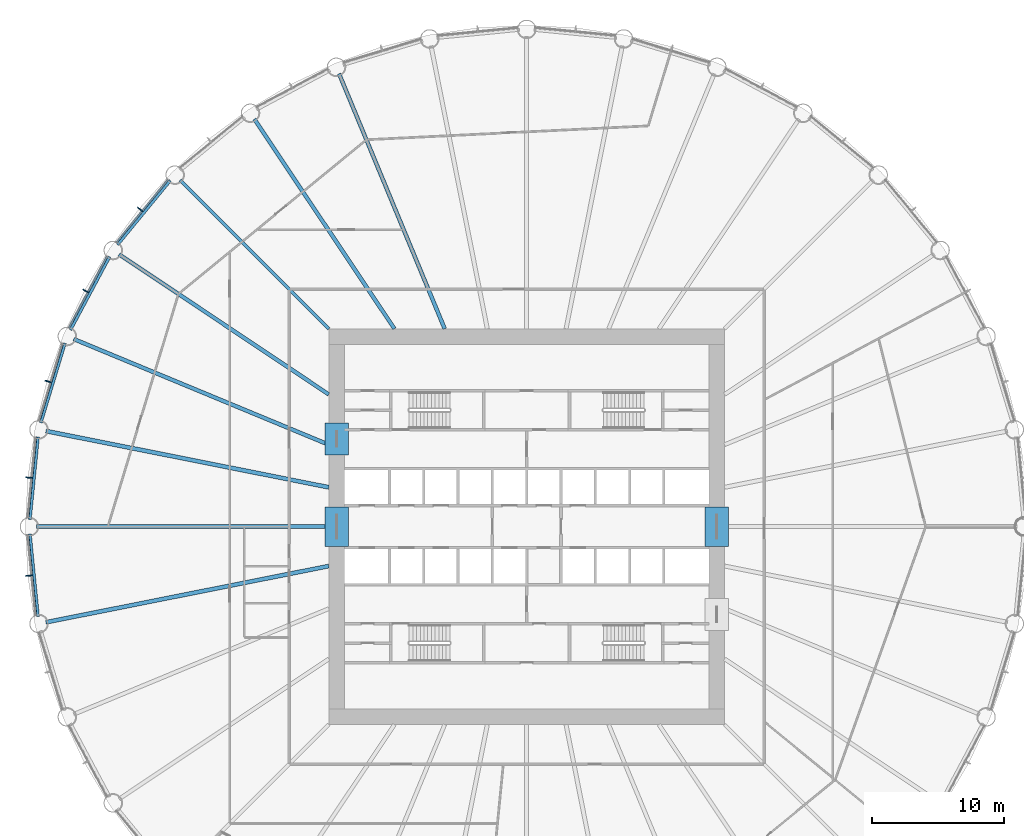
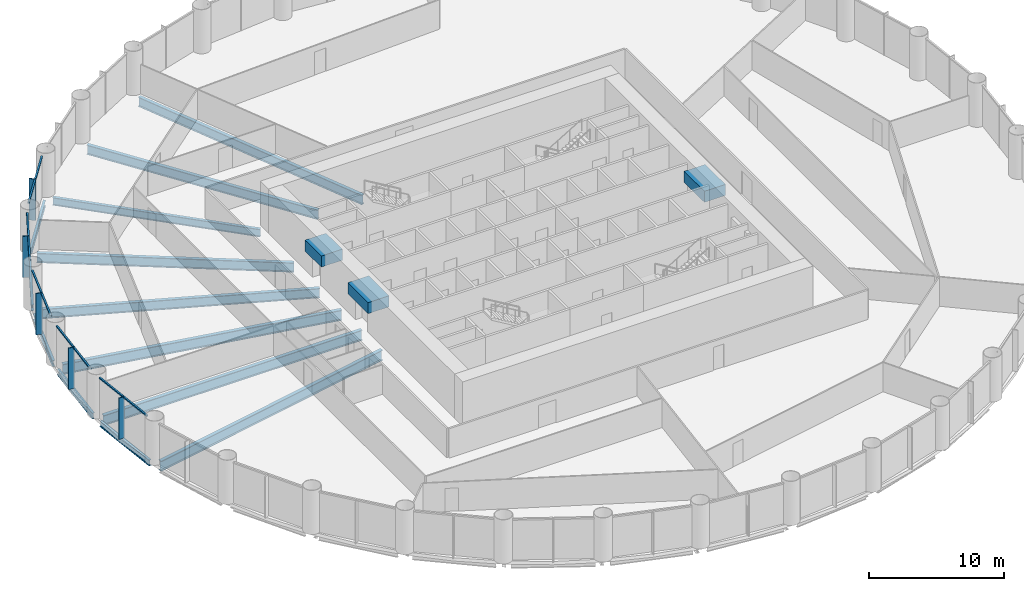
# One storey, part 4 of 14: 16 beams, 15 members, 5 elements without a shape of their own.
"""IFC4 building model written with IfcOpenShell, lengths in metres."""

import ifcopenshell
import ifcopenshell.guid

model = None  # the IFC model being written
_history = None  # IfcOwnerHistory: only IFC2X3 demands one
_inside = {}  # id of a spatial element -> (the spatial element, [elements in it])
_under = {}  # id of a project, library or spatial element -> (it, [spatial elements below it])
_declared = {}  # id of a project -> (the project, [libraries it declares])
_typed = {}  # id of a type object -> (the type object, [elements of that type])
_made_of = {}  # id of a material, layer set ... -> (it, [elements and type objects made of it])


def new_model(schema):
    """Start an empty IFC model of exactly this schema.

    Asked for "IFC4X3", IfcOpenShell would pick the latest addendum, in which some entities
    have other attributes; the version numbers below select the first issue.
    IFC2X3 requires an IfcOwnerHistory on every rooted entity: one is made here for all.
    """
    global model, _history
    if schema == "IFC4X3":
        model = ifcopenshell.file(schema_version=(4, 3, 0, 0))
    else:
        model = ifcopenshell.file(schema=schema)
    _inside.clear()
    _under.clear()
    _declared.clear()
    _typed.clear()
    _made_of.clear()
    _history = None
    if model.schema == "IFC2X3":
        org = make("IfcOrganization", Name="unknown")
        user = make(
            "IfcPersonAndOrganization",
            ThePerson=make("IfcPerson", FamilyName="unknown"),
            TheOrganization=org,
        )
        app = make(
            "IfcApplication",
            ApplicationDeveloper=org,
            Version="unknown",
            ApplicationFullName="unknown",
            ApplicationIdentifier="unknown",
        )
        _history = make(
            "IfcOwnerHistory",
            OwningUser=user,
            OwningApplication=app,
            ChangeAction="ADDED",
            CreationDate=0,
        )
    return model


def make(cls, **values):
    """One entity of the class cls with the attributes given. An attribute that is None is left unset."""
    return model.create_entity(
        cls, **{name: value for name, value in values.items() if value is not None}
    )


def rooted(cls, **values):
    """An entity with a GlobalId (a new one), such as an element, a storey or a relation."""
    return make(cls, GlobalId=ifcopenshell.guid.new(), OwnerHistory=_history, **values)


def si_unit(unit_type, name, prefix=None):
    """IfcSIUnit, for example si_unit("LENGTHUNIT", "METRE", prefix="MILLI")."""
    return make("IfcSIUnit", UnitType=unit_type, Prefix=prefix, Name=name)


def assignment(units):
    """IfcUnitAssignment: the units of a project."""
    return None if units is None else make("IfcUnitAssignment", Units=units)


def point(xyz):
    """IfcCartesianPoint."""
    return None if xyz is None else make("IfcCartesianPoint", Coordinates=xyz)


def direction(xyz):
    """IfcDirection."""
    return None if xyz is None else make("IfcDirection", DirectionRatios=xyz)


def frame(location, z_axis=None, x_axis=None):
    """IfcAxis2Placement3D, a coordinate frame: its origin and axes. An axis left out is left unset."""
    return make(
        "IfcAxis2Placement3D",
        Location=point(location),
        Axis=direction(z_axis),
        RefDirection=direction(x_axis),
    )


def frame_2d(location, x_axis=None):
    """IfcAxis2Placement2D, a coordinate frame in the plane: its origin and x axis."""
    return make(
        "IfcAxis2Placement2D", Location=point(location), RefDirection=direction(x_axis)
    )


def origin():
    """The frame at (0, 0, 0) with its axes left unset."""
    return frame((0.0, 0.0, 0.0))


def origin_2d():
    """The frame at (0, 0) in the plane with its x axis left unset."""
    return frame_2d((0.0, 0.0))


def place(relative_to, where):
    """IfcLocalPlacement: puts the frame where relative to a parent placement (None: the world)."""
    return make(
        "IfcLocalPlacement", PlacementRelTo=relative_to, RelativePlacement=where
    )


def context(
    kind, dimensions, precision=None, world=None, true_north=None, identifier=None
):
    """IfcGeometricRepresentationContext, for example the 3D "Model" context."""
    return make(
        "IfcGeometricRepresentationContext",
        ContextIdentifier=identifier,
        ContextType=kind,
        CoordinateSpaceDimension=dimensions,
        Precision=precision,
        WorldCoordinateSystem=world,
        TrueNorth=true_north,
    )


def subcontext(parent, identifier, kind, view, scale=None):
    """IfcGeometricRepresentationSubContext, for example "Body" below "Model"."""
    return make(
        "IfcGeometricRepresentationSubContext",
        ContextIdentifier=identifier,
        ContextType=kind,
        ParentContext=parent,
        TargetScale=scale,
        TargetView=view,
    )


def project(units=None, contexts=None):
    """IfcProject with its units and contexts."""
    return rooted(
        "IfcProject",
        Name="project",
        RepresentationContexts=contexts,
        UnitsInContext=assignment(units),
    )


def spatial(cls, under=None, at=None, **own):
    """A site, building, storey or space (cls), placed at a placement, below another one or the project."""
    s = rooted(cls, ObjectPlacement=at, **own)
    if under is not None:
        _under.setdefault(under.id(), (under, []))[1].append(s)
    return s


def profile(cls, at=None, kind="AREA", **sizes):
    """A parametric profile (cls). Its sizes go by their IFC names, for example OverallWidth=200.0."""
    return make(cls, ProfileType=kind, Position=at, **sizes)


def rectangle(**sizes):
    """IfcRectangleProfileDef."""
    return profile("IfcRectangleProfileDef", **sizes)


def i_section(**sizes):
    """IfcIShapeProfileDef."""
    return profile("IfcIShapeProfileDef", **sizes)


def extrude(swept, where, along, depth):
    """IfcExtrudedAreaSolid: the profile swept, set in the frame where, extruded along a direction by depth."""
    return make(
        "IfcExtrudedAreaSolid",
        SweptArea=swept,
        Position=where,
        ExtrudedDirection=direction(along),
        Depth=depth,
    )


def shape(context_of_items, identifier, shape_type, items):
    """IfcShapeRepresentation: the items that make up one representation, for example the "Body"."""
    return make(
        "IfcShapeRepresentation",
        ContextOfItems=context_of_items,
        RepresentationIdentifier=identifier,
        RepresentationType=shape_type,
        Items=items,
    )


def material(Name=None, Category=None):
    """IfcMaterial."""
    return make("IfcMaterial", Name=Name, Category=Category)


def material_profile(
    of_material, cross_section, Name=None, Category=None, Priority=None
):
    """IfcMaterialProfile: a cross section and its material."""
    return make(
        "IfcMaterialProfile",
        Name=Name,
        Material=of_material,
        Profile=cross_section,
        Priority=Priority,
        Category=Category,
    )


def profile_set(profiles, Name=None, composite=None):
    """IfcMaterialProfileSet."""
    return make(
        "IfcMaterialProfileSet",
        Name=Name,
        MaterialProfiles=profiles,
        CompositeProfile=composite,
    )


def made_of(thing, what):
    """Note that an element or type object is made of a material, layer set ...; save() writes the relation."""
    if what is not None:
        _made_of.setdefault(what.id(), (what, []))[1].append(thing)
    return thing


def type_object(cls, material=None, **own):
    """A type object (cls), such as IfcWallType, which elements share."""
    return made_of(rooted(cls, **own), material)


def element(
    cls,
    number,
    at=None,
    inside=None,
    cuts=None,
    type_object=None,
    material=None,
    context=None,
    identifier="Body",
    shape_type=None,
    held_by="IfcProductDefinitionShape",
    body=None,
    shapes=None,
    **own,
):
    """One element of the class cls, such as IfcWall. Its Tag is "e" and its number.

    at: its placement. inside: the storey or other place that contains it. cuts: it is an
    opening in that element (IfcRelVoidsElement). A single representation is given by context,
    identifier, shape_type and body (its items); several are given by shapes. held_by: the class
    of the entity that holds the representations. save() writes the other relations.
    """
    e = rooted(cls, Tag="e%d" % number, ObjectPlacement=at, **own)
    if body is not None:
        shapes = [shape(context, identifier, shape_type, body)]
    if shapes is not None:
        e.Representation = make(held_by, Representations=shapes)
    if inside is not None:
        _inside.setdefault(inside.id(), (inside, []))[1].append(e)
    if cuts is not None:
        rooted(
            "IfcRelVoidsElement", RelatingBuildingElement=cuts, RelatedOpeningElement=e
        )
    if type_object is not None:
        _typed.setdefault(type_object.id(), (type_object, []))[1].append(e)
    return made_of(e, material)


def aggregate(whole, parts):
    """IfcRelAggregates: a whole, such as a stair, and the parts it consists of."""
    return rooted("IfcRelAggregates", RelatingObject=whole, RelatedObjects=parts)


def save(model, path):
    """Write the relations noted so far, then the file.

    IfcRelAggregates (storeys below a building ...), IfcRelContainedInSpatialStructure (elements
    in a storey), IfcRelDefinesByType, IfcRelAssociatesMaterial and IfcRelDeclares: one each for
    every whole, place, type object, material and project.
    """
    for whole, parts in _under.values():
        aggregate(whole, parts)
    for where, things in _inside.values():
        rooted(
            "IfcRelContainedInSpatialStructure",
            RelatedElements=things,
            RelatingStructure=where,
        )
    for kind, things in _typed.values():
        rooted("IfcRelDefinesByType", RelatedObjects=things, RelatingType=kind)
    for what, things in _made_of.values():
        rooted("IfcRelAssociatesMaterial", RelatedObjects=things, RelatingMaterial=what)
    for by, libraries in _declared.values():
        rooted("IfcRelDeclares", RelatingContext=by, RelatedDefinitions=libraries)
    model.write(path)


model = new_model("IFC4")

# Units and contexts
model_context = context("Model", 3, precision=1e-05, world=origin(), true_north=direction((0.0, 1.0)))
body_context = subcontext(model_context, "Body", "Model", "MODEL_VIEW")
ifc_project = project(units=[si_unit("LENGTHUNIT", "METRE"), si_unit("AREAUNIT", "SQUARE_METRE"), si_unit("VOLUMEUNIT", "CUBIC_METRE"), si_unit("PLANEANGLEUNIT", "RADIAN"), si_unit("MASSUNIT", "GRAM", prefix="KILO")], contexts=[model_context])

# Site, building, storey
site_placement = place(None, origin())
site = spatial("IfcSite", under=ifc_project, at=site_placement, CompositionType="ELEMENT")
building_placement = place(site_placement, origin())
building = spatial("IfcBuilding", under=site, at=building_placement, Name="Corvane Civic Tower", CompositionType="ELEMENT")
storey_placement = place(building_placement, frame((0.0, 0.0, 81.0)))
storey = spatial("IfcBuildingStorey", under=building, at=storey_placement, Name="L18", CompositionType="ELEMENT", Elevation=81.0)

# Beams
ifc_material_1 = material(Name="Concrete C80/95", Category="concrete")
ifc_material_profile_1 = material_profile(ifc_material_1, rectangle(XDim=1.800048828125, YDim=1.0, at=origin_2d()), Name="COUPLING BEAM 1800X1000")
ifc_profile_set_1 = profile_set([ifc_material_profile_1], Name="Concrete C80/95")
beam_type_1 = type_object("IfcBeamType", Name="COUPLING BEAM COUPLING BEAM 1800X1000", PredefinedType="BEAM", material=ifc_profile_set_1)
for number, where, z_axis, x_axis, name in (
    (1, (-14.39990234375, -1.5, 2.60009765625), (0.0, 1.0, 0.0), (-1.0, 0.0, 0.0), "BM-L18-cpl-CW-LW"),
    (2, (14.39990234375, -1.5, 2.60009765625), (0.0, 1.0, 0.0), (-1.0, 0.0, 0.0), "BM-L18-cpl-CW-LE"),
):
    element("IfcBeam", number, at=place(storey_placement, frame(where, z_axis=z_axis, x_axis=x_axis)), inside=storey, type_object=beam_type_1, Name=name, PredefinedType="BEAM", context=body_context, shape_type="SweptSolid", body=[
        extrude(rectangle(XDim=1.800048828125, YDim=1.0, at=origin_2d()), origin(), (0.0, 0.0, 1.0), 3.0),
    ])
beam_1_placement = place(storey_placement, frame((-14.39990234375, 5.449951171875, 2.60009765625), z_axis=(0.0, 1.0, 0.0), x_axis=(-1.0, 0.0, 0.0)))
element("IfcBeam", 3, at=beam_1_placement, inside=storey, type_object=beam_type_1, Name="BM-L18-cpl-CW-WN", PredefinedType="BEAM", context=body_context, shape_type="SweptSolid", body=[
    extrude(rectangle(XDim=1.800048828125, YDim=1.0, at=origin_2d()), origin(), (0.0, 0.0, 1.0), 2.400146484375),
])
ifc_material_2 = material(Name="Steel ASTM A992 Gr 50", Category="steel")
ifc_material_profile_2 = material_profile(ifc_material_2, i_section(OverallWidth=0.209228515625, OverallDepth=0.533447265625, WebThickness=0.01025390625, FlangeThickness=0.015625, at=origin_2d()), Name="W21X62")
ifc_profile_set_2 = profile_set([ifc_material_profile_2], Name="Steel ASTM A992 Gr 50")
beam_type_2 = type_object("IfcBeamType", Name="EDGE BEAM W21X62", PredefinedType="BEAM", material=ifc_profile_set_2)
for number, where, z_axis, x_axis, name in (
    (4, (-37.029541015625, -6.8076171875, -0.566650390625), (-0.097997284622, 0.995186682089, 0.0), (-0.995186682089, -0.097997284622, 0.0), "BM-L18-E24"),
    (5, (-37.64599609375, 0.54736328125, -0.566650390625), (0.097997284622, 0.995186682089, 0.0), (-0.995186682089, 0.097997284622, 0.0), "BM-L18-E25"),
):
    element("IfcBeam", number, at=place(storey_placement, frame(where, z_axis=z_axis, x_axis=x_axis)), inside=storey, type_object=beam_type_2, Name=name, PredefinedType="BEAM", context=body_context, shape_type="SweptSolid", body=[
        extrude(i_section(OverallWidth=0.209228515625, OverallDepth=0.533447265625, WebThickness=0.01025390625, FlangeThickness=0.015625, at=origin_2d()), origin(), (0.0, 0.0, 1.0), 6.29052734375),
    ])
for number, where, z_axis, x_axis, name in (
    (6, (-36.81591796875, 7.88134765625, -0.566650390625), (0.290273452184, 0.956943740748, 0.0), (-0.956943740748, 0.290273452184, 0.0), "BM-L18-E26"),
    (7, (-34.571044921875, 14.912353515625, -0.566650390625), (0.471405897311, 0.881916367906, 0.0), (-0.881916367906, 0.471405897311, 0.0), "BM-L18-E27"),
):
    element("IfcBeam", number, at=place(storey_placement, frame(where, z_axis=z_axis, x_axis=x_axis)), inside=storey, type_object=beam_type_2, Name=name, PredefinedType="BEAM", context=body_context, shape_type="SweptSolid", body=[
        extrude(i_section(OverallWidth=0.209228515625, OverallDepth=0.533447265625, WebThickness=0.01025390625, FlangeThickness=0.015625, at=origin_2d()), origin(), (0.0, 0.0, 1.0), 6.290283203125),
    ])
beam_2_placement = place(storey_placement, frame((-30.99755859375, 21.3701171875, -0.566650390625), z_axis=(0.634386787141, 0.773015785286, 0.0), x_axis=(-0.773015785286, 0.634386787141, 0.0)))
element("IfcBeam", 8, at=beam_2_placement, inside=storey, type_object=beam_type_2, Name="BM-L18-E28", PredefinedType="BEAM", context=body_context, shape_type="SweptSolid", body=[
    extrude(i_section(OverallWidth=0.209228515625, OverallDepth=0.533447265625, WebThickness=0.01025390625, FlangeThickness=0.015625, at=origin_2d()), origin(), (0.0, 0.0, 1.0), 6.290771484375),
])
ifc_material_3 = material(Name="Steel ASTM A992 Gr 50", Category="steel")
ifc_material_profile_3 = material_profile(ifc_material_3, i_section(OverallWidth=0.256591796875, OverallDepth=0.693359375, WebThickness=0.014404296875, FlangeThickness=0.023681640625, at=origin_2d()), Name="W27X114")
ifc_profile_set_3 = profile_set([ifc_material_profile_3], Name="Steel ASTM A992 Gr 50")
beam_type_3 = type_object("IfcBeamType", Name="FLOOR GIRDER W27X114", PredefinedType="BEAM", material=ifc_profile_set_3)
beam_3_placement = place(storey_placement, frame((-15.0, 15.0, -0.646728515625), z_axis=(-0.707106781187, 0.707106781187, 0.0), x_axis=(-0.707106781187, -0.707106781187, 0.0)))
element("IfcBeam", 9, at=beam_3_placement, inside=storey, type_object=beam_type_3, Name="BM-L18-G29", PredefinedType="BEAM", context=body_context, shape_type="SweptSolid", body=[
    extrude(i_section(OverallWidth=0.256591796875, OverallDepth=0.693359375, WebThickness=0.014404296875, FlangeThickness=0.023681640625, at=origin_2d()), origin(), (0.0, 0.0, 1.0), 15.936767578125),
])
ifc_material_4 = material(Name="Steel ASTM A992 Gr 50", Category="steel")
ifc_material_profile_4 = material_profile(ifc_material_4, i_section(OverallWidth=0.2919921875, OverallDepth=0.8583984375, WebThickness=0.01708984375, FlangeThickness=0.031005859375, at=origin_2d()), Name="W33X169")
ifc_profile_set_4 = profile_set([ifc_material_profile_4], Name="Steel ASTM A992 Gr 50")
beam_type_4 = type_object("IfcBeamType", Name="FLOOR GIRDER W33X169", PredefinedType="BEAM", material=ifc_profile_set_4)
beam_4_placement = place(storey_placement, frame((-15.0, 6.213134765625, -0.729248046875), z_axis=(-0.923875834355, 0.382692360381, 0.0), x_axis=(-0.382692360381, -0.923875834355, 0.0)))
element("IfcBeam", 10, at=beam_4_placement, inside=storey, type_object=beam_type_4, Name="BM-L18-G27", PredefinedType="BEAM", context=body_context, shape_type="SweptSolid", body=[
    extrude(i_section(OverallWidth=0.2919921875, OverallDepth=0.8583984375, WebThickness=0.01708984375, FlangeThickness=0.031005859375, at=origin_2d()), origin(), (0.0, 0.0, 1.0), 20.9140625),
])
for number, where, z_axis, x_axis, name in (
    (11, (-15.0, 10.022705078125, -0.729248046875), (-0.831471985418, 0.555566681385, 0.0), (-0.555566681385, -0.831471985418, 0.0), "BM-L18-G28"),
    (12, (-10.022705078125, 15.0, -0.729248046875), (-0.555566681385, 0.831471985418, 0.0), (-0.831471985418, -0.555566681385, 0.0), "BM-L18-G30"),
):
    element("IfcBeam", number, at=place(storey_placement, frame(where, z_axis=z_axis, x_axis=x_axis)), inside=storey, type_object=beam_type_4, Name=name, PredefinedType="BEAM", context=body_context, shape_type="SweptSolid", body=[
        extrude(i_section(OverallWidth=0.2919921875, OverallDepth=0.8583984375, WebThickness=0.01708984375, FlangeThickness=0.031005859375, at=origin_2d()), origin(), (0.0, 0.0, 1.0), 19.109619140625),
    ])
beam_5_placement = place(storey_placement, frame((-6.213134765625, 15.0, -0.729248046875), z_axis=(-0.382692360381, 0.923875834355, 0.0), x_axis=(-0.923875834355, -0.382692360381, 0.0)))
element("IfcBeam", 13, at=beam_5_placement, inside=storey, type_object=beam_type_4, Name="BM-L18-G31", PredefinedType="BEAM", context=body_context, shape_type="SweptSolid", body=[
    extrude(i_section(OverallWidth=0.2919921875, OverallDepth=0.8583984375, WebThickness=0.01708984375, FlangeThickness=0.031005859375, at=origin_2d()), origin(), (0.0, 0.0, 1.0), 20.9140625),
])
ifc_material_5 = material(Name="Steel ASTM A992 Gr 50", Category="steel")
ifc_material_profile_5 = material_profile(ifc_material_5, i_section(OverallWidth=0.307373046875, OverallDepth=0.927001953125, WebThickness=0.01953125, FlangeThickness=0.031982421875, at=origin_2d()), Name="W36X194")
ifc_profile_set_5 = profile_set([ifc_material_profile_5], Name="Steel ASTM A992 Gr 50")
beam_type_5 = type_object("IfcBeamType", Name="FLOOR GIRDER W36X194", PredefinedType="BEAM", material=ifc_profile_set_5)
beam_6_placement = place(storey_placement, frame((-15.0, -2.983642578125, -0.763671875), z_axis=(-0.980785499679, -0.195089219638, 0.0), x_axis=(0.195089219638, -0.980785499679, 0.0)))
element("IfcBeam", 14, at=beam_6_placement, inside=storey, type_object=beam_type_5, Name="BM-L18-G24", PredefinedType="BEAM", context=body_context, shape_type="SweptSolid", body=[
    extrude(i_section(OverallWidth=0.307373046875, OverallDepth=0.927001953125, WebThickness=0.01953125, FlangeThickness=0.031982421875, at=origin_2d()), origin(), (0.0, 0.0, 1.0), 21.856201171875),
])
beam_7_placement = place(storey_placement, frame((-15.0, 0.0, -0.763671875), z_axis=(-1.0, 0.0, 0.0), x_axis=(0.0, -1.0, 0.0)))
element("IfcBeam", 15, at=beam_7_placement, inside=storey, type_object=beam_type_5, Name="BM-L18-G25", PredefinedType="BEAM", context=body_context, shape_type="SweptSolid", body=[
    extrude(i_section(OverallWidth=0.307373046875, OverallDepth=0.927001953125, WebThickness=0.01953125, FlangeThickness=0.031982421875, at=origin_2d()), origin(), (0.0, 0.0, 1.0), 22.14990234375),
])
beam_8_placement = place(storey_placement, frame((-15.0, 2.983642578125, -0.763671875), z_axis=(-0.980785499679, 0.195089219638, 0.0), x_axis=(-0.195089219638, -0.980785499679, 0.0)))
element("IfcBeam", 16, at=beam_8_placement, inside=storey, type_object=beam_type_5, Name="BM-L18-G26", PredefinedType="BEAM", context=body_context, shape_type="SweptSolid", body=[
    extrude(i_section(OverallWidth=0.307373046875, OverallDepth=0.927001953125, WebThickness=0.01953125, FlangeThickness=0.031982421875, at=origin_2d()), origin(), (0.0, 0.0, 1.0), 21.856201171875),
])

# Curtain wall, members
ifc_material_6 = material(Name="Anodised aluminium bronze", Category="aluminium")
curtain_wall_type = type_object("IfcCurtainWallType", Name="TOWER CW-T1 STICK CURTAIN WALL", PredefinedType="NOTDEFINED", material=ifc_material_6)
curtain_wall_1_placement = place(storey_placement, origin())
curtain_wall_1 = element("IfcCurtainWall", 17, at=curtain_wall_1_placement, inside=storey, type_object=curtain_wall_type, Name="Curtain wall CW-T1 L18 bay 24", PredefinedType="NOTDEFINED")
ifc_material_7 = material(Name="Anodised aluminium bronze", Category="aluminium")
ifc_material_profile_6 = material_profile(ifc_material_7, rectangle(XDim=0.139892578125, YDim=0.1201171875, at=origin_2d()), Name="TOWER CW-T1 TRANSOM 140x120")
ifc_profile_set_6 = profile_set([ifc_material_profile_6], Name="Anodised aluminium bronze")
member_type_1 = type_object("IfcMemberType", Name="TOWER CW-T1 TRANSOM 140x120", PredefinedType="USERDEFINED", material=ifc_profile_set_6)
member_1_placement = place(storey_placement, frame((-37.21728515625, -6.72900390625, 3.68994140625), z_axis=(-0.097944923917, 0.995191836722, 0.0), x_axis=(-0.995191836722, -0.097944923917, 0.0)))
member_1 = element("IfcMember", 18, at=member_1_placement, type_object=member_type_1, Name="Transom CW-T1 L18 24.1", ObjectType="TRANSOM", PredefinedType="USERDEFINED", context=body_context, shape_type="SweptSolid", body=[
    extrude(rectangle(XDim=0.139892578125, YDim=0.1201171875, at=origin_2d()), origin(), (0.0, 0.0, 1.0), 3.008544921875),
])
member_2_placement = place(storey_placement, frame((-37.52001953125, -3.6552734375, 3.68994140625), z_axis=(-0.097944923917, 0.995191836722, 0.0), x_axis=(-0.995191836722, -0.097944923917, 0.0)))
member_2 = element("IfcMember", 19, at=member_2_placement, type_object=member_type_1, Name="Transom CW-T1 L18 24.2", ObjectType="TRANSOM", PredefinedType="USERDEFINED", context=body_context, shape_type="SweptSolid", body=[
    extrude(rectangle(XDim=0.139892578125, YDim=0.1201171875, at=origin_2d()), origin(), (0.0, 0.0, 1.0), 3.008544921875),
])

curtain_wall_2_placement = place(storey_placement, origin())
curtain_wall_2 = element("IfcCurtainWall", 20, at=curtain_wall_2_placement, inside=storey, type_object=curtain_wall_type, Name="Curtain wall CW-T1 L18 bay 25", PredefinedType="NOTDEFINED")
member_3_placement = place(storey_placement, frame((-37.814697265625, 0.6611328125, 3.68994140625), z_axis=(0.097944923917, 0.995191836722, 0.0), x_axis=(-0.995191836722, 0.097944923917, 0.0)))
member_3 = element("IfcMember", 21, at=member_3_placement, type_object=member_type_1, Name="Transom CW-T1 L18 25.1", ObjectType="TRANSOM", PredefinedType="USERDEFINED", context=body_context, shape_type="SweptSolid", body=[
    extrude(rectangle(XDim=0.139892578125, YDim=0.1201171875, at=origin_2d()), origin(), (0.0, 0.0, 1.0), 3.008544921875),
])
member_4_placement = place(storey_placement, frame((-37.511962890625, 3.73486328125, 3.68994140625), z_axis=(0.097944923917, 0.995191836722, 0.0), x_axis=(-0.995191836722, 0.097944923917, 0.0)))
member_4 = element("IfcMember", 22, at=member_4_placement, type_object=member_type_1, Name="Transom CW-T1 L18 25.2", ObjectType="TRANSOM", PredefinedType="USERDEFINED", context=body_context, shape_type="SweptSolid", body=[
    extrude(rectangle(XDim=0.139892578125, YDim=0.1201171875, at=origin_2d()), origin(), (0.0, 0.0, 1.0), 3.008544921875),
])

curtain_wall_3_placement = place(storey_placement, origin())
curtain_wall_3 = element("IfcCurtainWall", 23, at=curtain_wall_3_placement, inside=storey, type_object=curtain_wall_type, Name="Curtain wall CW-T1 L18 bay 26", PredefinedType="NOTDEFINED")
member_5_placement = place(storey_placement, frame((-36.959228515625, 8.02587890625, 3.68994140625), z_axis=(0.290279914268, 0.956941780555, 0.0), x_axis=(-0.956941780555, 0.290279914268, 0.0)))
member_5 = element("IfcMember", 24, at=member_5_placement, type_object=member_type_1, Name="Transom CW-T1 L18 26.1", ObjectType="TRANSOM", PredefinedType="USERDEFINED", context=body_context, shape_type="SweptSolid", body=[
    extrude(rectangle(XDim=0.139892578125, YDim=0.1201171875, at=origin_2d()), origin(), (0.0, 0.0, 1.0), 3.008544921875),
])
member_6_placement = place(storey_placement, frame((-36.062744140625, 10.9814453125, 3.68994140625), z_axis=(0.290279914268, 0.956941780555, 0.0), x_axis=(-0.956941780555, 0.290279914268, 0.0)))
member_6 = element("IfcMember", 25, at=member_6_placement, type_object=member_type_1, Name="Transom CW-T1 L18 26.2", ObjectType="TRANSOM", PredefinedType="USERDEFINED", context=body_context, shape_type="SweptSolid", body=[
    extrude(rectangle(XDim=0.139892578125, YDim=0.1201171875, at=origin_2d()), origin(), (0.0, 0.0, 1.0), 3.008544921875),
])

curtain_wall_4_placement = place(storey_placement, origin())
curtain_wall_4 = element("IfcCurtainWall", 26, at=curtain_wall_4_placement, inside=storey, type_object=curtain_wall_type, Name="Curtain wall CW-T1 L18 bay 27", PredefinedType="NOTDEFINED")
member_7_placement = place(storey_placement, frame((-34.683349609375, 15.08203125, 3.68994140625), z_axis=(0.471392506424, 0.881923525532, 0.0), x_axis=(-0.881923525532, 0.471392506424, 0.0)))
member_7 = element("IfcMember", 27, at=member_7_placement, type_object=member_type_1, Name="Transom CW-T1 L18 27.1", ObjectType="TRANSOM", PredefinedType="USERDEFINED", context=body_context, shape_type="SweptSolid", body=[
    extrude(rectangle(XDim=0.139892578125, YDim=0.1201171875, at=origin_2d()), origin(), (0.0, 0.0, 1.0), 3.008544921875),
])
member_8_placement = place(storey_placement, frame((-33.2275390625, 17.805908203125, 3.68994140625), z_axis=(0.471392506424, 0.881923525532, 0.0), x_axis=(-0.881923525532, 0.471392506424, 0.0)))
member_8 = element("IfcMember", 28, at=member_8_placement, type_object=member_type_1, Name="Transom CW-T1 L18 27.2", ObjectType="TRANSOM", PredefinedType="USERDEFINED", context=body_context, shape_type="SweptSolid", body=[
    extrude(rectangle(XDim=0.139892578125, YDim=0.1201171875, at=origin_2d()), origin(), (0.0, 0.0, 1.0), 3.008544921875),
])

curtain_wall_5_placement = place(storey_placement, origin())
curtain_wall_5 = element("IfcCurtainWall", 29, at=curtain_wall_5_placement, inside=storey, type_object=curtain_wall_type, Name="Curtain wall CW-T1 L18 bay 28", PredefinedType="NOTDEFINED")
member_9_placement = place(storey_placement, frame((-31.074462890625, 21.55859375, 3.68994140625), z_axis=(0.634355161466, 0.773041738279, 0.0), x_axis=(-0.773041738279, 0.634355161466, 0.0)))
member_9 = element("IfcMember", 30, at=member_9_placement, type_object=member_type_1, Name="Transom CW-T1 L18 28.1", ObjectType="TRANSOM", PredefinedType="USERDEFINED", context=body_context, shape_type="SweptSolid", body=[
    extrude(rectangle(XDim=0.139892578125, YDim=0.1201171875, at=origin_2d()), origin(), (0.0, 0.0, 1.0), 3.008544921875),
])
member_10_placement = place(storey_placement, frame((-29.115234375, 23.946044921875, 3.68994140625), z_axis=(0.634403652865, 0.773001943873, 0.0), x_axis=(-0.773001943873, 0.634403652865, 0.0)))
member_10 = element("IfcMember", 31, at=member_10_placement, type_object=member_type_1, Name="Transom CW-T1 L18 28.2", ObjectType="TRANSOM", PredefinedType="USERDEFINED", context=body_context, shape_type="SweptSolid", body=[
    extrude(rectangle(XDim=0.139892578125, YDim=0.1201171875, at=origin_2d()), origin(), (0.0, 0.0, 1.0), 3.008544921875),
])

# Member
ifc_material_8 = material(Name="Anodised aluminium bronze", Category="aluminium")
ifc_material_profile_7 = material_profile(ifc_material_8, rectangle(XDim=0.080078125, YDim=0.5, at=origin_2d()), Name="TOWER FIN MULLION 80x500 BRONZE")
ifc_profile_set_7 = profile_set([ifc_material_profile_7], Name="Anodised aluminium bronze")
member_type_2 = type_object("IfcMemberType", Name="TOWER FIN MULLION 80x500 BRONZE", PredefinedType="MULLION", material=ifc_profile_set_7)
member_11_placement = place(storey_placement, frame((-37.715087890625, -3.714599609375, 0.0), z_axis=(0.0, 0.0, 1.0), x_axis=(-0.098006239521, 0.995185800248, 0.0)))
member_11 = element("IfcMember", 32, at=member_11_placement, type_object=member_type_2, Name="Fin mullion 24 L18", PredefinedType="MULLION", context=body_context, shape_type="SweptSolid", body=[
    extrude(rectangle(XDim=0.080078125, YDim=0.5, at=origin_2d()), origin(), (0.0, 0.0, 1.0), 3.75),
])

aggregate(curtain_wall_1, [member_11, member_1, member_2])

member_12_placement = place(storey_placement, frame((-37.715087890625, 3.714599609375, 0.0), z_axis=(0.0, 0.0, 1.0), x_axis=(0.098006239521, 0.995185800248, 0.0)))
member_12 = element("IfcMember", 33, at=member_12_placement, type_object=member_type_2, Name="Fin mullion 25 L18", PredefinedType="MULLION", context=body_context, shape_type="SweptSolid", body=[
    extrude(rectangle(XDim=0.080078125, YDim=0.5, at=origin_2d()), origin(), (0.0, 0.0, 1.0), 3.75),
])

aggregate(curtain_wall_2, [member_12, member_3, member_4])

member_13_placement = place(storey_placement, frame((-36.265625, 11.001220703125, 0.0), z_axis=(0.0, 0.0, 1.0), x_axis=(0.290278397654, 0.956942240606, 0.0)))
member_13 = element("IfcMember", 34, at=member_13_placement, type_object=member_type_2, Name="Fin mullion 26 L18", PredefinedType="MULLION", context=body_context, shape_type="SweptSolid", body=[
    extrude(rectangle(XDim=0.080078125, YDim=0.5, at=origin_2d()), origin(), (0.0, 0.0, 1.0), 3.75),
])

aggregate(curtain_wall_3, [member_13, member_5, member_6])

member_14_placement = place(storey_placement, frame((-33.422607421875, 17.86474609375, 0.0), z_axis=(0.0, 0.0, 1.0), x_axis=(0.471403725359, 0.881917528864, 0.0)))
member_14 = element("IfcMember", 35, at=member_14_placement, type_object=member_type_2, Name="Fin mullion 27 L18", PredefinedType="MULLION", context=body_context, shape_type="SweptSolid", body=[
    extrude(rectangle(XDim=0.080078125, YDim=0.5, at=origin_2d()), origin(), (0.0, 0.0, 1.0), 3.75),
])

aggregate(curtain_wall_4, [member_14, member_7, member_8])

member_15_placement = place(storey_placement, frame((-29.295166015625, 24.0419921875, 0.0), z_axis=(0.0, 0.0, 1.0), x_axis=(0.634397218569, 0.773007224463, 0.0)))
member_15 = element("IfcMember", 36, at=member_15_placement, type_object=member_type_2, Name="Fin mullion 28 L18", PredefinedType="MULLION", context=body_context, shape_type="SweptSolid", body=[
    extrude(rectangle(XDim=0.080078125, YDim=0.5, at=origin_2d()), origin(), (0.0, 0.0, 1.0), 3.75),
])

aggregate(curtain_wall_5, [member_15, member_9, member_10])

save(model, "model.ifc")
